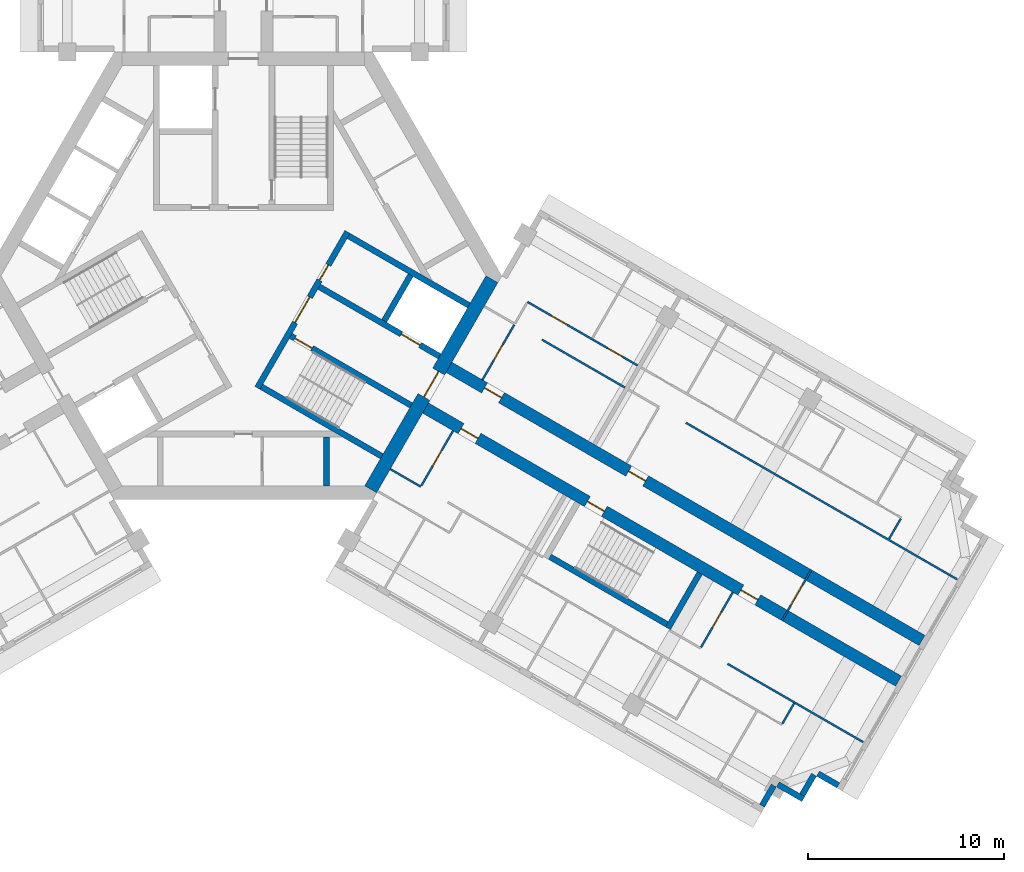
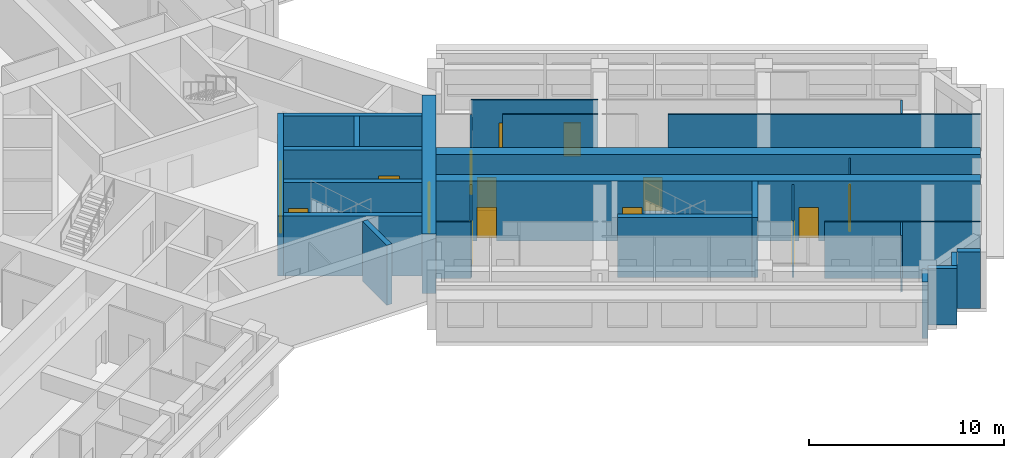
# One storey, part 5 of 10: 27 walls, 16 doors, 16 openings.
"""IFC4 building model written with IfcOpenShell, lengths in metres."""

from ifc_helpers import new_model, si_unit, direction, frame, frame_2d, origin, place, context, subcontext, project, spatial, rectangle, extrude, material, layer, layer_set, type_object, element, fill, save


model = new_model("IFC4")

# Units and contexts
model_context = context("Model", 3, precision=1e-05, world=origin(), true_north=direction((0.0, 1.0)))
body_context = subcontext(model_context, "Body", "Model", "MODEL_VIEW")
ifc_project = project(units=[si_unit("LENGTHUNIT", "METRE"), si_unit("AREAUNIT", "SQUARE_METRE"), si_unit("VOLUMEUNIT", "CUBIC_METRE"), si_unit("PLANEANGLEUNIT", "RADIAN"), si_unit("MASSUNIT", "GRAM", prefix="KILO")], contexts=[model_context])

# Site, building, storey
site_placement = place(None, origin())
site = spatial("IfcSite", under=ifc_project, at=site_placement, CompositionType="ELEMENT")
building_placement = place(site_placement, origin())
building = spatial("IfcBuilding", under=site, at=building_placement, Name="Impinga Residences", CompositionType="ELEMENT")
storey_placement = place(building_placement, frame((0.0, 0.0, 241.0)))
storey = spatial("IfcBuildingStorey", under=building, at=storey_placement, Name="L60", CompositionType="ELEMENT", Elevation=241.0)

# Wall, openings, doors
ifc_material_1 = material(Name="Concrete C60/75", Category="concrete")
ifc_layer_1 = layer(ifc_material_1, 0.60009765625)
ifc_layer_set_1 = layer_set([ifc_layer_1], Name="Concrete C60/75")
wall_type_1 = type_object("IfcWallType", Name="BW3 corridor buttress wall, L46 to L73 600", PredefinedType="SHEAR", material=ifc_layer_set_1)
wall_1_placement = place(storey_placement, frame((10.19677734375, -4.50146484375, 0.0), z_axis=(0.0, 0.0, 1.0), x_axis=(0.866026415941, -0.499998246889, 0.0)))
wall_1 = element("IfcWall", 1, at=wall_1_placement, inside=storey, type_object=wall_type_1, Name="Corridor wall BW3 EC L60", PredefinedType="SHEAR", context=body_context, shape_type="SweptSolid", body=[
    extrude(rectangle(XDim=28.25, YDim=0.60009765625, at=frame_2d((14.125, 0.0))), origin(), (0.0, 0.0, 1.0), 3.75),
])
opening_1_placement = place(wall_1_placement, frame((2.449951171875, 0.0, 0.0)))
opening_1 = element("IfcOpeningElement", 2, at=opening_1_placement, cuts=wall_1, Name="Opening D1", PredefinedType="OPENING", context=body_context, shape_type="SweptSolid", body=[
    extrude(rectangle(XDim=1.0, YDim=2.10009765625, at=frame_2d((0.5, 1.050048828125))), frame((0.0, 0.31005859375, 0.0), z_axis=(0.0, -1.0, 0.0), x_axis=(1.0, 0.0, 0.0)), (0.0, 0.0, 1.0), 0.6201171875),
])
opening_2_placement = place(wall_1_placement, frame((10.949951171875, 0.0, 0.0)))
opening_2 = element("IfcOpeningElement", 3, at=opening_2_placement, cuts=wall_1, Name="Opening D1", PredefinedType="OPENING", context=body_context, shape_type="SweptSolid", body=[
    extrude(rectangle(XDim=1.0, YDim=2.10009765625, at=frame_2d((0.5, 1.050048828125))), frame((0.0, 0.31005859375, 0.0), z_axis=(0.0, -1.0, 0.0), x_axis=(1.0, 0.0, 0.0)), (0.0, 0.0, 1.0), 0.6201171875),
])
ifc_material_2 = material(Name="Timber door set", Category="wood")
door_type_1 = type_object("IfcDoorType", Name="D1 apartment entrance door 1000x2100", OperationType="SINGLE_SWING_LEFT", PredefinedType="DOOR", material=ifc_material_2)
door_1_placement = place(opening_1_placement, origin())
door_1 = element("IfcDoor", 4, at=door_1_placement, inside=storey, type_object=door_type_1, Name="Apartment L60-EA1 entrance", OperationType="SINGLE_SWING_LEFT", OverallHeight=2.10009765625, OverallWidth=1.0, PredefinedType="DOOR", context=body_context, shape_type="SweptSolid", body=[
    extrude(rectangle(XDim=1.0, YDim=2.10009765625, at=frame_2d((0.5, 1.050048828125))), frame((0.0, 0.02490234375, 0.0), z_axis=(0.0, -1.0, 0.0), x_axis=(1.0, 0.0, 0.0)), (0.0, 0.0, 1.0), 0.050048828125),
])
fill(opening_1, door_1)
door_2_placement = place(opening_2_placement, origin())
door_2 = element("IfcDoor", 5, at=door_2_placement, inside=storey, type_object=door_type_1, Name="Apartment L60-EA2 entrance", OperationType="SINGLE_SWING_LEFT", OverallHeight=2.10009765625, OverallWidth=1.0, PredefinedType="DOOR", context=body_context, shape_type="SweptSolid", body=[
    extrude(rectangle(XDim=1.0, YDim=2.10009765625, at=frame_2d((0.5, 1.050048828125))), frame((0.0, 0.02490234375, 0.0), z_axis=(0.0, -1.0, 0.0), x_axis=(1.0, 0.0, 0.0)), (0.0, 0.0, 1.0), 0.050048828125),
])
fill(opening_2, door_2)

wall_2_placement = place(storey_placement, frame((8.996826171875, -6.580078125, 0.0), z_axis=(0.0, 0.0, 1.0), x_axis=(0.866026415941, -0.499998246889, 0.0)))
wall_2 = element("IfcWall", 6, at=wall_2_placement, inside=storey, type_object=wall_type_1, Name="Corridor wall BW3 ED L60", PredefinedType="SHEAR", context=body_context, shape_type="SweptSolid", body=[
    extrude(rectangle(XDim=28.25, YDim=0.60009765625, at=frame_2d((14.125, 0.0))), origin(), (0.0, 0.0, 1.0), 3.75),
])
opening_3_placement = place(wall_2_placement, frame((9.89990234375, 0.0, 0.0)))
opening_3 = element("IfcOpeningElement", 7, at=opening_3_placement, cuts=wall_2, Name="Opening D5", PredefinedType="OPENING", context=body_context, shape_type="SweptSolid", body=[
    extrude(rectangle(XDim=1.0, YDim=2.10009765625, at=frame_2d((0.5, 1.050048828125))), frame((0.0, 0.31005859375, 0.0), z_axis=(0.0, -1.0, 0.0), x_axis=(1.0, 0.0, 0.0)), (0.0, 0.0, 1.0), 0.6201171875),
])
opening_4_placement = place(wall_2_placement, frame((2.449951171875, 0.0, 0.0)))
opening_4 = element("IfcOpeningElement", 8, at=opening_4_placement, cuts=wall_2, Name="Opening D1", PredefinedType="OPENING", context=body_context, shape_type="SweptSolid", body=[
    extrude(rectangle(XDim=1.0, YDim=2.10009765625, at=frame_2d((0.5, 1.050048828125))), frame((0.0, 0.31005859375, 0.0), z_axis=(0.0, -1.0, 0.0), x_axis=(1.0, 0.0, 0.0)), (0.0, 0.0, 1.0), 0.6201171875),
])
opening_5_placement = place(wall_2_placement, frame((18.949951171875, 0.0, 0.0)))
opening_5 = element("IfcOpeningElement", 9, at=opening_5_placement, cuts=wall_2, Name="Opening D1", PredefinedType="OPENING", context=body_context, shape_type="SweptSolid", body=[
    extrude(rectangle(XDim=1.0, YDim=2.10009765625, at=frame_2d((0.5, 1.050048828125))), frame((0.0, 0.31005859375, 0.0), z_axis=(0.0, -1.0, 0.0), x_axis=(1.0, 0.0, 0.0)), (0.0, 0.0, 1.0), 0.6201171875),
])
door_3_placement = place(opening_4_placement, origin())
door_3 = element("IfcDoor", 10, at=door_3_placement, inside=storey, type_object=door_type_1, Name="Apartment L60-EF1 entrance", OperationType="SINGLE_SWING_LEFT", OverallHeight=2.10009765625, OverallWidth=1.0, PredefinedType="DOOR", context=body_context, shape_type="SweptSolid", body=[
    extrude(rectangle(XDim=1.0, YDim=2.10009765625, at=frame_2d((0.5, 1.050048828125))), frame((0.0, 0.02490234375, 0.0), z_axis=(0.0, -1.0, 0.0), x_axis=(1.0, 0.0, 0.0)), (0.0, 0.0, 1.0), 0.050048828125),
])
fill(opening_4, door_3)
door_4_placement = place(opening_5_placement, origin())
door_4 = element("IfcDoor", 11, at=door_4_placement, inside=storey, type_object=door_type_1, Name="Apartment L60-EF2 entrance", OperationType="SINGLE_SWING_RIGHT", OverallHeight=2.10009765625, OverallWidth=1.0, PredefinedType="DOOR", context=body_context, shape_type="SweptSolid", body=[
    extrude(rectangle(XDim=1.0, YDim=2.10009765625, at=frame_2d((0.5, 1.050048828125))), frame((0.0, 0.02490234375, 0.0), z_axis=(0.0, -1.0, 0.0), x_axis=(1.0, 0.0, 0.0)), (0.0, 0.0, 1.0), 0.050048828125),
])
fill(opening_5, door_4)
door_type_2 = type_object("IfcDoorType", Name="D5 stair door 1000x2100", OperationType="SINGLE_SWING_LEFT", PredefinedType="DOOR", material=ifc_material_2)
door_5_placement = place(opening_3_placement, origin())
door_5 = element("IfcDoor", 12, at=door_5_placement, inside=storey, type_object=door_type_2, Name="Wing stair door E", OperationType="SINGLE_SWING_LEFT", OverallHeight=2.10009765625, OverallWidth=1.0, PredefinedType="DOOR", context=body_context, shape_type="SweptSolid", body=[
    extrude(rectangle(XDim=1.0, YDim=2.10009765625, at=frame_2d((0.5, 1.050048828125))), frame((0.0, 0.02490234375, 0.0), z_axis=(0.0, -1.0, 0.0), x_axis=(1.0, 0.0, 0.0)), (0.0, 0.0, 1.0), 0.050048828125),
])
fill(opening_3, door_5)

# Wall, opening, door
ifc_material_3 = material(Name="Concrete blockwork", Category="masonry")
ifc_layer_2 = layer(ifc_material_3, 0.10009765625)
ifc_layer_set_2 = layer_set([ifc_layer_2], Name="CP1 core room partition, blockwork 100")
wall_type_2 = type_object("IfcWallType", Name="CP1 core room partition, blockwork 100", PredefinedType="PARTITIONING", material=ifc_layer_set_2)
wall_3_placement = place(storey_placement, frame((29.009765625, -15.016845703125, 0.0), z_axis=(0.0, 0.0, 1.0), x_axis=(-0.50002537861, -0.866010750942, 0.0)))
wall_3 = element("IfcWall", 13, at=wall_3_placement, inside=storey, type_object=wall_type_2, Name="Core room partition, blockwork L60:E:LNG", PredefinedType="PARTITIONING", context=body_context, shape_type="SweptSolid", body=[
    extrude(rectangle(XDim=2.999755859375, YDim=0.10009765625, at=frame_2d((1.5, 0.0))), origin(), (0.0, 0.0, 1.0), 3.530029296875),
])
opening_6_placement = place(wall_3_placement, frame((0.89990234375, 0.0, 0.0)))
opening_6 = element("IfcOpeningElement", 14, at=opening_6_placement, cuts=wall_3, Name="Opening D3", PredefinedType="OPENING", context=body_context, shape_type="SweptSolid", body=[
    extrude(rectangle(XDim=1.199951171875, YDim=2.10009765625, at=frame_2d((0.60009765625, 1.050048828125))), frame((0.0, 0.06005859375, 0.0), z_axis=(0.0, -1.0, 0.0), x_axis=(1.0, 0.0, 0.0)), (0.0, 0.0, 1.0), 0.1201171875),
])
door_type_3 = type_object("IfcDoorType", Name="D3 room door, leaf and a half 1200x2100", OperationType="DOUBLE_SWING_LEFT", PredefinedType="DOOR", material=ifc_material_2)
door_6_placement = place(opening_6_placement, origin())
door_6 = element("IfcDoor", 15, at=door_6_placement, inside=storey, type_object=door_type_3, Name="Residents' lounge door E", OperationType="DOUBLE_SWING_LEFT", OverallHeight=2.10009765625, OverallWidth=1.199951171875, PredefinedType="DOOR", context=body_context, shape_type="SweptSolid", body=[
    extrude(rectangle(XDim=1.199951171875, YDim=2.10009765625, at=frame_2d((0.60009765625, 1.050048828125))), frame((0.0, 0.02490234375, 0.0), z_axis=(0.0, -1.0, 0.0), x_axis=(1.0, 0.0, 0.0)), (0.0, 0.0, 1.0), 0.050048828125),
])
fill(opening_6, door_6)

# Walls
ifc_material_4 = material(Name="Terracotta rainscreen on blockwork", Category="masonry")
ifc_layer_3 = layer(ifc_material_4, 0.300048828125)
ifc_layer_set_3 = layer_set([ifc_layer_3], Name="EW1 external wall, terracotta rainscreen on blockwork 300")
wall_type_3 = type_object("IfcWallType", Name="EW1 external wall, terracotta rainscreen on blockwork 300", PredefinedType="SOLIDWALL", material=ifc_layer_set_3)
wall_4_placement = place(storey_placement, frame((30.38720703125, -26.031005859375, 0.0), z_axis=(0.0, 0.0, 1.0), x_axis=(-0.866059708757, 0.499940577336, 0.0)))
element("IfcWall", 16, at=wall_4_placement, inside=storey, type_object=wall_type_3, Name="External wall EW1 L60", PredefinedType="SOLIDWALL", context=body_context, shape_type="SweptSolid", body=[
    extrude(rectangle(XDim=1.195068359375, YDim=0.300048828125, at=frame_2d((0.59765625, 0.0))), origin(), (0.0, 0.0, 1.0), 3.530029296875),
])
wall_5_placement = place(storey_placement, frame((29.14306640625, -25.48583984375, 0.0), z_axis=(0.0, 0.0, 1.0), x_axis=(-0.500033551112, -0.866006032174, 0.0)))
element("IfcWall", 17, at=wall_5_placement, inside=storey, type_object=wall_type_3, Name="External wall EW1 L60", PredefinedType="SOLIDWALL", context=body_context, shape_type="SweptSolid", body=[
    extrude(rectangle(XDim=1.2001953125, YDim=0.300048828125, at=frame_2d((0.60009765625, 0.0))), origin(), (0.0, 0.0, 1.0), 3.530029296875),
])
wall_6_placement = place(storey_placement, frame((28.597900390625, -26.72998046875, 0.0), z_axis=(0.0, 0.0, 1.0), x_axis=(-0.866031096941, 0.499990139034, 0.0)))
element("IfcWall", 18, at=wall_6_placement, inside=storey, type_object=wall_type_3, Name="External wall EW1 L60", PredefinedType="SOLIDWALL", context=body_context, shape_type="SweptSolid", body=[
    extrude(rectangle(XDim=1.5, YDim=0.300048828125, at=frame_2d((0.75, 0.0))), origin(), (0.0, 0.0, 1.0), 3.530029296875),
])
wall_7_placement = place(storey_placement, frame((27.091552734375, -26.039306640625, 0.0), z_axis=(0.0, 0.0, 1.0), x_axis=(-0.500093796661, -0.865971243484, 0.0)))
element("IfcWall", 19, at=wall_7_placement, inside=storey, type_object=wall_type_3, Name="External wall EW1 L60", PredefinedType="SOLIDWALL", context=body_context, shape_type="SweptSolid", body=[
    extrude(rectangle(XDim=1.195068359375, YDim=0.300048828125, at=frame_2d((0.59765625, 0.0))), origin(), (0.0, 0.0, 1.0), 3.530029296875),
])
ifc_material_5 = material(Name="Gypsum board on steel studs", Category="steel")
ifc_layer_4 = layer(ifc_material_5, 0.10009765625)
ifc_layer_set_4 = layer_set([ifc_layer_4], Name="Gypsum board on steel studs")
wall_type_4 = type_object("IfcWallType", Name="IP1 partition 100", PredefinedType="PARTITIONING", material=ifc_layer_set_4)
wall_8_placement = place(storey_placement, frame((15.244384765625, -3.2587890625, 0.0), z_axis=(0.0, 0.0, 1.0), x_axis=(0.866036242063, -0.49998122708, 0.0)))
element("IfcWall", 20, at=wall_8_placement, inside=storey, type_object=wall_type_4, Name="Partition L60-EA1:DIV1", PredefinedType="PARTITIONING", context=body_context, shape_type="SweptSolid", body=[
    extrude(rectangle(XDim=4.900146484375, YDim=0.10009765625, at=frame_2d((2.4501953125, 0.0))), origin(), (0.0, 0.0, 1.0), 3.530029296875),
])

# Wall, openings, doors
wall_9_placement = place(storey_placement, frame((14.5087890625, -1.3330078125, 0.0), z_axis=(0.0, 0.0, 1.0), x_axis=(0.866024837091, -0.50000098154, 0.0)))
wall_9 = element("IfcWall", 21, at=wall_9_placement, inside=storey, type_object=wall_type_4, Name="Partition L60-EA1:STRIP", PredefinedType="PARTITIONING", context=body_context, shape_type="SweptSolid", body=[
    extrude(rectangle(XDim=6.5, YDim=0.10009765625, at=frame_2d((3.25, 0.0))), origin(), (0.0, 0.0, 1.0), 3.530029296875),
])
opening_7_placement = place(wall_9_placement, frame((1.425048828125, 0.0, 0.0)))
opening_7 = element("IfcOpeningElement", 22, at=opening_7_placement, cuts=wall_9, Name="Opening D2", PredefinedType="OPENING", context=body_context, shape_type="SweptSolid", body=[
    extrude(rectangle(XDim=0.89990234375, YDim=2.10009765625, at=frame_2d((0.449951171875, 1.050048828125))), frame((0.0, 0.06005859375, 0.0), z_axis=(0.0, -1.0, 0.0), x_axis=(1.0, 0.0, 0.0)), (0.0, 0.0, 1.0), 0.1201171875),
])
opening_8_placement = place(wall_9_placement, frame((4.72509765625, 0.0, 0.0)))
opening_8 = element("IfcOpeningElement", 23, at=opening_8_placement, cuts=wall_9, Name="Opening D2", PredefinedType="OPENING", context=body_context, shape_type="SweptSolid", body=[
    extrude(rectangle(XDim=0.89990234375, YDim=2.10009765625, at=frame_2d((0.449951171875, 1.050048828125))), frame((0.0, 0.06005859375, 0.0), z_axis=(0.0, -1.0, 0.0), x_axis=(1.0, 0.0, 0.0)), (0.0, 0.0, 1.0), 0.1201171875),
])
door_type_4 = type_object("IfcDoorType", Name="D2 internal door 900x2100", OperationType="SINGLE_SWING_LEFT", PredefinedType="DOOR", material=ifc_material_2)
door_7_placement = place(opening_7_placement, origin())
door_7 = element("IfcDoor", 24, at=door_7_placement, inside=storey, type_object=door_type_4, Name="Apartment L60-EA1 room door", OperationType="SINGLE_SWING_LEFT", OverallHeight=2.10009765625, OverallWidth=0.89990234375, PredefinedType="DOOR", context=body_context, shape_type="SweptSolid", body=[
    extrude(rectangle(XDim=0.89990234375, YDim=2.10009765625, at=frame_2d((0.449951171875, 1.050048828125))), frame((0.0, 0.02490234375, 0.0), z_axis=(0.0, -1.0, 0.0), x_axis=(1.0, 0.0, 0.0)), (0.0, 0.0, 1.0), 0.050048828125),
])
fill(opening_7, door_7)
door_8_placement = place(opening_8_placement, origin())
door_8 = element("IfcDoor", 25, at=door_8_placement, inside=storey, type_object=door_type_4, Name="Apartment L60-EA1 room door", OperationType="SINGLE_SWING_RIGHT", OverallHeight=2.10009765625, OverallWidth=0.89990234375, PredefinedType="DOOR", context=body_context, shape_type="SweptSolid", body=[
    extrude(rectangle(XDim=0.89990234375, YDim=2.10009765625, at=frame_2d((0.449951171875, 1.050048828125))), frame((0.0, 0.02490234375, 0.0), z_axis=(0.0, -1.0, 0.0), x_axis=(1.0, 0.0, 0.0)), (0.0, 0.0, 1.0), 0.050048828125),
])
fill(opening_8, door_8)

# Wall, opening, door
wall_10_placement = place(storey_placement, frame((12.208740234375, -5.316650390625, 0.0), z_axis=(0.0, 0.0, 1.0), x_axis=(0.500017246033, 0.866015446554, 0.0)))
wall_10 = element("IfcWall", 26, at=wall_10_placement, inside=storey, type_object=wall_type_4, Name="Partition L60-EA1:IB1", PredefinedType="PARTITIONING", context=body_context, shape_type="SweptSolid", body=[
    extrude(rectangle(XDim=3.25, YDim=0.10009765625, at=frame_2d((1.625, 0.0))), origin(), (0.0, 0.0, 1.0), 3.530029296875),
])
opening_9_placement = place(wall_10_placement, frame((1.175048828125, 0.0, 0.0)))
opening_9 = element("IfcOpeningElement", 27, at=opening_9_placement, cuts=wall_10, Name="Opening D2", PredefinedType="OPENING", context=body_context, shape_type="SweptSolid", body=[
    extrude(rectangle(XDim=0.89990234375, YDim=2.10009765625, at=frame_2d((0.449951171875, 1.050048828125))), frame((0.0, 0.06005859375, 0.0), z_axis=(0.0, -1.0, 0.0), x_axis=(1.0, 0.0, 0.0)), (0.0, 0.0, 1.0), 0.1201171875),
])
door_9_placement = place(opening_9_placement, origin())
door_9 = element("IfcDoor", 28, at=door_9_placement, inside=storey, type_object=door_type_4, Name="Apartment L60-EA1 bathroom door", OperationType="SINGLE_SWING_LEFT", OverallHeight=2.10009765625, OverallWidth=0.89990234375, PredefinedType="DOOR", context=body_context, shape_type="SweptSolid", body=[
    extrude(rectangle(XDim=0.89990234375, YDim=2.10009765625, at=frame_2d((0.449951171875, 1.050048828125))), frame((0.0, 0.02490234375, 0.0), z_axis=(0.0, -1.0, 0.0), x_axis=(1.0, 0.0, 0.0)), (0.0, 0.0, 1.0), 0.050048828125),
])
fill(opening_9, door_9)

# Walls
wall_11_placement = place(storey_placement, frame((22.605712890625, -7.5087890625, 0.0), z_axis=(0.0, 0.0, 1.0), x_axis=(0.866026010844, -0.49999894854, 0.0)))
element("IfcWall", 29, at=wall_11_placement, inside=storey, type_object=wall_type_4, Name="Partition L60-EA2:DIV1", PredefinedType="PARTITIONING", context=body_context, shape_type="SweptSolid", body=[
    extrude(rectangle(XDim=16.0, YDim=0.10009765625, at=frame_2d((8.0, 0.0))), origin(), (0.0, 0.0, 1.0), 3.530029296875),
])
wall_12_placement = place(storey_placement, frame((32.979736328125, -13.4404296875, 0.0), z_axis=(0.0, 0.0, 1.0), x_axis=(0.499969057507, 0.866043267704, 0.0)))
element("IfcWall", 30, at=wall_12_placement, inside=storey, type_object=wall_type_4, Name="Partition L60-EA2:SE1", PredefinedType="PARTITIONING", context=body_context, shape_type="SweptSolid", body=[
    extrude(rectangle(XDim=1.19970703125, YDim=0.10009765625, at=frame_2d((0.599853515625, 0.0))), origin(), (0.0, 0.0, 1.0), 3.530029296875),
])
wall_13_placement = place(storey_placement, frame((7.5, -9.872802734375, 0.0), z_axis=(0.0, 0.0, 1.0), x_axis=(0.866047807691, -0.499961193289, 0.0)))
element("IfcWall", 31, at=wall_13_placement, inside=storey, type_object=wall_type_4, Name="Partition L60-EF1:DIV0", PredefinedType="PARTITIONING", context=body_context, shape_type="SweptSolid", body=[
    extrude(rectangle(XDim=1.800048828125, YDim=0.10009765625, at=frame_2d((0.89990234375, 0.0))), origin(), (0.0, 0.0, 1.0), 3.530029296875),
])

# Wall, opening, door
wall_14_placement = place(storey_placement, frame((10.708740234375, -7.914794921875, 0.0), z_axis=(0.0, 0.0, 1.0), x_axis=(-0.499984717929, -0.866034226713, 0.0)))
wall_14 = element("IfcWall", 32, at=wall_14_placement, inside=storey, type_object=wall_type_4, Name="Partition L60-EF1:IB1", PredefinedType="PARTITIONING", context=body_context, shape_type="SweptSolid", body=[
    extrude(rectangle(XDim=3.25, YDim=0.10009765625, at=frame_2d((1.625, 0.0))), origin(), (0.0, 0.0, 1.0), 3.530029296875),
])
opening_10_placement = place(wall_14_placement, frame((1.175048828125, 0.0, 0.0)))
opening_10 = element("IfcOpeningElement", 33, at=opening_10_placement, cuts=wall_14, Name="Opening D2", PredefinedType="OPENING", context=body_context, shape_type="SweptSolid", body=[
    extrude(rectangle(XDim=0.89990234375, YDim=2.10009765625, at=frame_2d((0.449951171875, 1.050048828125))), frame((0.0, 0.06005859375, 0.0), z_axis=(0.0, -1.0, 0.0), x_axis=(1.0, 0.0, 0.0)), (0.0, 0.0, 1.0), 0.1201171875),
])
door_10_placement = place(opening_10_placement, origin())
door_10 = element("IfcDoor", 34, at=door_10_placement, inside=storey, type_object=door_type_4, Name="Apartment L60-EF1 bathroom door", OperationType="SINGLE_SWING_LEFT", OverallHeight=2.10009765625, OverallWidth=0.89990234375, PredefinedType="DOOR", context=body_context, shape_type="SweptSolid", body=[
    extrude(rectangle(XDim=0.89990234375, YDim=2.10009765625, at=frame_2d((0.449951171875, 1.050048828125))), frame((0.0, 0.02490234375, 0.0), z_axis=(0.0, -1.0, 0.0), x_axis=(1.0, 0.0, 0.0)), (0.0, 0.0, 1.0), 0.050048828125),
])
fill(opening_10, door_10)

# Walls
wall_15_placement = place(storey_placement, frame((24.73388671875, -19.82275390625, 0.0), z_axis=(0.0, 0.0, 1.0), x_axis=(0.866026010844, -0.49999894854, 0.0)))
element("IfcWall", 35, at=wall_15_placement, inside=storey, type_object=wall_type_4, Name="Partition L60-EF2:DIV2", PredefinedType="PARTITIONING", context=body_context, shape_type="SweptSolid", body=[
    extrude(rectangle(XDim=8.0, YDim=0.10009765625, at=frame_2d((4.0, 0.0))), origin(), (0.0, 0.0, 1.0), 3.530029296875),
])
wall_16_placement = place(storey_placement, frame((28.129638671875, -21.841064453125, 0.0), z_axis=(0.0, 0.0, 1.0), x_axis=(-0.499969057507, -0.866043267704, 0.0)))
element("IfcWall", 36, at=wall_16_placement, inside=storey, type_object=wall_type_4, Name="Partition L60-EF2:SE1", PredefinedType="PARTITIONING", context=body_context, shape_type="SweptSolid", body=[
    extrude(rectangle(XDim=1.19970703125, YDim=0.10009765625, at=frame_2d((0.599853515625, 0.0))), origin(), (0.0, 0.0, 1.0), 3.530029296875),
])

# Wall, opening, door
wall_17_placement = place(storey_placement, frame((24.998291015625, -16.164794921875, 0.0), z_axis=(0.0, 0.0, 1.0), x_axis=(-0.499984717929, -0.866034226713, 0.0)))
wall_17 = element("IfcWall", 37, at=wall_17_placement, inside=storey, type_object=wall_type_4, Name="Partition L60-EF2:IB1", PredefinedType="PARTITIONING", context=body_context, shape_type="SweptSolid", body=[
    extrude(rectangle(XDim=3.25, YDim=0.10009765625, at=frame_2d((1.625, 0.0))), origin(), (0.0, 0.0, 1.0), 3.530029296875),
])
opening_11_placement = place(wall_17_placement, frame((1.175048828125, 0.0, 0.0)))
opening_11 = element("IfcOpeningElement", 38, at=opening_11_placement, cuts=wall_17, Name="Opening D2", PredefinedType="OPENING", context=body_context, shape_type="SweptSolid", body=[
    extrude(rectangle(XDim=0.89990234375, YDim=2.10009765625, at=frame_2d((0.449951171875, 1.050048828125))), frame((0.0, 0.06005859375, 0.0), z_axis=(0.0, -1.0, 0.0), x_axis=(1.0, 0.0, 0.0)), (0.0, 0.0, 1.0), 0.1201171875),
])
door_11_placement = place(opening_11_placement, origin())
door_11 = element("IfcDoor", 39, at=door_11_placement, inside=storey, type_object=door_type_4, Name="Apartment L60-EF2 bathroom door", OperationType="SINGLE_SWING_LEFT", OverallHeight=2.10009765625, OverallWidth=0.89990234375, PredefinedType="DOOR", context=body_context, shape_type="SweptSolid", body=[
    extrude(rectangle(XDim=0.89990234375, YDim=2.10009765625, at=frame_2d((0.449951171875, 1.050048828125))), frame((0.0, 0.02490234375, 0.0), z_axis=(0.0, -1.0, 0.0), x_axis=(1.0, 0.0, 0.0)), (0.0, 0.0, 1.0), 0.050048828125),
])
fill(opening_11, door_11)

# Walls
ifc_layer_5 = layer(ifc_material_1, 0.300048828125)
ifc_layer_set_5 = layer_set([ifc_layer_5], Name="Concrete C60/75")
wall_type_5 = type_object("IfcWallType", Name="SE1 wing stair enclosure wall 300", PredefinedType="SOLIDWALL", material=ifc_layer_set_5)
wall_18_placement = place(storey_placement, frame((23.3095703125, -15.189697265625, 0.0), z_axis=(0.0, 0.0, 1.0), x_axis=(-0.499984717929, -0.866034226713, 0.0)))
element("IfcWall", 40, at=wall_18_placement, inside=storey, type_object=wall_type_5, Name="Stair enclosure wall SE1 E END1 L60", PredefinedType="SOLIDWALL", context=body_context, shape_type="SweptSolid", body=[
    extrude(rectangle(XDim=3.25, YDim=0.300048828125, at=frame_2d((1.625, 0.0))), origin(), (0.0, 0.0, 1.0), 3.75),
])
wall_19_placement = place(storey_placement, frame((15.654052734375, -14.349365234375, 0.0), z_axis=(0.0, 0.0, 1.0), x_axis=(0.866013532718, -0.500020560727, 0.0)))
element("IfcWall", 41, at=wall_19_placement, inside=storey, type_object=wall_type_5, Name="Stair enclosure wall SE1 E OUT L60", PredefinedType="SOLIDWALL", context=body_context, shape_type="SweptSolid", body=[
    extrude(rectangle(XDim=6.900146484375, YDim=0.300048828125, at=frame_2d((3.4501953125, 0.0))), origin(), (0.0, 0.0, 1.0), 3.75),
])

# Wall, opening, door
ifc_layer_6 = layer(ifc_material_1, 0.699951171875)
ifc_layer_set_6 = layer_set([ifc_layer_6], Name="Concrete C60/75")
wall_type_6 = type_object("IfcWallType", Name="SW3 core wall 700", PredefinedType="SHEAR", material=ifc_layer_set_6)
wall_20_placement = place(storey_placement, frame((12.69482421875, -0.175048828125, 0.0), z_axis=(0.0, 0.0, 1.0), x_axis=(-0.499999875397, -0.866025475724, 0.0)))
wall_20 = element("IfcWall", 42, at=wall_20_placement, inside=storey, type_object=wall_type_6, Name="Core wall SW3 E:FACE L60", PredefinedType="SHEAR", context=body_context, shape_type="SweptSolid", body=[
    extrude(rectangle(XDim=12.3916015625, YDim=0.699951171875, at=frame_2d((6.19580078125, 0.0))), origin(), (0.0, 0.0, 1.0), 3.75),
])
opening_12_placement = place(wall_20_placement, frame((5.44580078125, 0.0, 0.0)))
opening_12 = element("IfcOpeningElement", 43, at=opening_12_placement, cuts=wall_20, Name="Opening D4", PredefinedType="OPENING", context=body_context, shape_type="SweptSolid", body=[
    extrude(rectangle(XDim=1.5, YDim=2.10009765625, at=frame_2d((0.75, 1.050048828125))), frame((0.0, 0.35986328125, 0.0), z_axis=(0.0, -1.0, 0.0), x_axis=(1.0, 0.0, 0.0)), (0.0, 0.0, 1.0), 0.719970703125),
])
door_type_5 = type_object("IfcDoorType", Name="D4 lobby door pair 1500x2100", OperationType="DOUBLE_DOOR_DOUBLE_SWING", PredefinedType="DOOR", material=ifc_material_2)
door_12_placement = place(opening_12_placement, origin())
door_12 = element("IfcDoor", 44, at=door_12_placement, inside=storey, type_object=door_type_5, Name="Lobby door E", OperationType="DOUBLE_DOOR_DOUBLE_SWING", OverallHeight=2.10009765625, OverallWidth=1.5, PredefinedType="DOOR", context=body_context, shape_type="SweptSolid", body=[
    extrude(rectangle(XDim=1.5, YDim=2.10009765625, at=frame_2d((0.75, 1.050048828125))), frame((0.0, 0.02490234375, 0.0), z_axis=(0.0, -1.0, 0.0), x_axis=(1.0, 0.0, 0.0)), (0.0, 0.0, 1.0), 0.050048828125),
])
fill(opening_12, door_12)

# Wall, openings, doors
ifc_material_6 = material(Name="Concrete C70/85", Category="concrete")
ifc_layer_7 = layer(ifc_material_6, 0.300048828125)
ifc_layer_set_7 = layer_set([ifc_layer_7], Name="Concrete C70/85")
wall_type_7 = type_object("IfcWallType", Name="SW5 core inner wall, stairs, shafts and lobbies 300", PredefinedType="SHEAR", material=ifc_layer_set_7)
wall_21_placement = place(storey_placement, frame((5.313720703125, 2.24365234375, 0.0), z_axis=(0.0, 0.0, 1.0), x_axis=(-0.499995050369, -0.866028261437, 0.0)))
wall_21 = element("IfcWall", 45, at=wall_21_placement, inside=storey, type_object=wall_type_7, Name="Core wall SW5 E:ZONE L60", PredefinedType="SHEAR", context=body_context, shape_type="SweptSolid", body=[
    extrude(rectangle(XDim=9.19970703125, YDim=0.300048828125, at=frame_2d((4.599853515625, 0.0))), origin(), (0.0, 0.0, 1.0), 3.75),
])
opening_13_placement = place(wall_21_placement, frame((3.85009765625, 0.0, 0.0)))
opening_13 = element("IfcOpeningElement", 46, at=opening_13_placement, cuts=wall_21, Name="Opening D4", PredefinedType="OPENING", context=body_context, shape_type="SweptSolid", body=[
    extrude(rectangle(XDim=1.5, YDim=2.10009765625, at=frame_2d((0.75, 1.050048828125))), frame((0.0, 0.159912109375, 0.0), z_axis=(0.0, -1.0, 0.0), x_axis=(1.0, 0.0, 0.0)), (0.0, 0.0, 1.0), 0.320068359375),
])
opening_14_placement = place(wall_21_placement, frame((1.949951171875, 0.0, 0.0)))
opening_14 = element("IfcOpeningElement", 47, at=opening_14_placement, cuts=wall_21, Name="Opening D6", PredefinedType="OPENING", context=body_context, shape_type="SweptSolid", body=[
    extrude(rectangle(XDim=0.89990234375, YDim=2.10009765625, at=frame_2d((0.449951171875, 1.050048828125))), frame((0.0, 0.159912109375, 0.0), z_axis=(0.0, -1.0, 0.0), x_axis=(1.0, 0.0, 0.0)), (0.0, 0.0, 1.0), 0.320068359375),
])
door_13_placement = place(opening_13_placement, origin())
door_13 = element("IfcDoor", 48, at=door_13_placement, inside=storey, type_object=door_type_5, Name="Firefighting lobby door E", OperationType="DOUBLE_DOOR_DOUBLE_SWING", OverallHeight=2.10009765625, OverallWidth=1.5, PredefinedType="DOOR", context=body_context, shape_type="SweptSolid", body=[
    extrude(rectangle(XDim=1.5, YDim=2.10009765625, at=frame_2d((0.75, 1.050048828125))), frame((0.0, 0.02490234375, 0.0), z_axis=(0.0, -1.0, 0.0), x_axis=(1.0, 0.0, 0.0)), (0.0, 0.0, 1.0), 0.050048828125),
])
fill(opening_13, door_13)
door_type_6 = type_object("IfcDoorType", Name="D6 riser and store door 900x2100", OperationType="SINGLE_SWING_LEFT", PredefinedType="DOOR", material=ifc_material_2)
door_14_placement = place(opening_14_placement, origin())
door_14 = element("IfcDoor", 49, at=door_14_placement, inside=storey, type_object=door_type_6, Name="Riser door E", OperationType="SINGLE_SWING_LEFT", OverallHeight=2.10009765625, OverallWidth=0.89990234375, PredefinedType="DOOR", context=body_context, shape_type="SweptSolid", body=[
    extrude(rectangle(XDim=0.89990234375, YDim=2.10009765625, at=frame_2d((0.449951171875, 1.050048828125))), frame((0.0, 0.02490234375, 0.0), z_axis=(0.0, -1.0, 0.0), x_axis=(1.0, 0.0, 0.0)), (0.0, 0.0, 1.0), 0.050048828125),
])
fill(opening_14, door_14)

# Wall, opening, door
wall_22_placement = place(storey_placement, frame((2.418701171875, -3.07080078125, 0.0), z_axis=(0.0, 0.0, 1.0), x_axis=(0.866025859768, -0.499999210213, 0.0)))
wall_22 = element("IfcWall", 50, at=wall_22_placement, inside=storey, type_object=wall_type_7, Name="Core wall SW5 E:ST-IN L60", PredefinedType="SHEAR", context=body_context, shape_type="SweptSolid", body=[
    extrude(rectangle(XDim=7.1015625, YDim=0.300048828125, at=frame_2d((3.55078125, 0.0))), origin(), (0.0, 0.0, 1.0), 3.75),
])
opening_15_placement = place(wall_22_placement, frame((0.25, 0.0, 0.0)))
opening_15 = element("IfcOpeningElement", 51, at=opening_15_placement, cuts=wall_22, Name="Opening D5", PredefinedType="OPENING", context=body_context, shape_type="SweptSolid", body=[
    extrude(rectangle(XDim=1.0, YDim=2.10009765625, at=frame_2d((0.5, 1.050048828125))), frame((0.0, 0.159912109375, 0.0), z_axis=(0.0, -1.0, 0.0), x_axis=(1.0, 0.0, 0.0)), (0.0, 0.0, 1.0), 0.320068359375),
])
door_15_placement = place(opening_15_placement, origin())
door_15 = element("IfcDoor", 52, at=door_15_placement, inside=storey, type_object=door_type_2, Name="Stair door E", OperationType="SINGLE_SWING_LEFT", OverallHeight=2.10009765625, OverallWidth=1.0, PredefinedType="DOOR", context=body_context, shape_type="SweptSolid", body=[
    extrude(rectangle(XDim=1.0, YDim=2.10009765625, at=frame_2d((0.5, 1.050048828125))), frame((0.0, 0.02490234375, 0.0), z_axis=(0.0, -1.0, 0.0), x_axis=(1.0, 0.0, 0.0)), (0.0, 0.0, 1.0), 0.050048828125),
])
fill(opening_15, door_15)

# Wall
wall_23_placement = place(storey_placement, frame((0.918701171875, -5.668701171875, 0.0), z_axis=(0.0, 0.0, 1.0), x_axis=(0.866025859768, -0.499999210213, 0.0)))
element("IfcWall", 53, at=wall_23_placement, inside=storey, type_object=wall_type_7, Name="Core wall SW5 E:ST-OUT L60", PredefinedType="SHEAR", context=body_context, shape_type="SweptSolid", body=[
    extrude(rectangle(XDim=7.1015625, YDim=0.300048828125, at=frame_2d((3.55078125, 0.0))), origin(), (0.0, 0.0, 1.0), 3.75),
])

# Wall, opening, door
wall_24_placement = place(storey_placement, frame((3.86865234375, -0.559326171875, 0.0), z_axis=(0.0, 0.0, 1.0), x_axis=(0.866025859768, -0.499999210213, 0.0)))
wall_24 = element("IfcWall", 54, at=wall_24_placement, inside=storey, type_object=wall_type_7, Name="Core wall SW5 E:FF-IN L60", PredefinedType="SHEAR", context=body_context, shape_type="SweptSolid", body=[
    extrude(rectangle(XDim=7.1015625, YDim=0.300048828125, at=frame_2d((3.55078125, 0.0))), origin(), (0.0, 0.0, 1.0), 3.75),
])
opening_16_placement = place(wall_24_placement, frame((4.85009765625, 0.0, 0.0)))
opening_16 = element("IfcOpeningElement", 55, at=opening_16_placement, cuts=wall_24, Name="Opening LD2", PredefinedType="OPENING", context=body_context, shape_type="SweptSolid", body=[
    extrude(rectangle(XDim=1.10009765625, YDim=2.10009765625, at=frame_2d((0.550048828125, 1.050048828125))), frame((0.0, 0.159912109375, 0.0), z_axis=(0.0, -1.0, 0.0), x_axis=(1.0, 0.0, 0.0)), (0.0, 0.0, 1.0), 0.320068359375),
])
ifc_material_7 = material(Name="Steel lift landing door", Category="steel")
door_type_7 = type_object("IfcDoorType", Name="LD2 firefighting lift landing door 1100x2100", OperationType="DOUBLE_DOOR_SLIDING", PredefinedType="DOOR", material=ifc_material_7)
door_16_placement = place(opening_16_placement, origin())
door_16 = element("IfcDoor", 56, at=door_16_placement, inside=storey, type_object=door_type_7, Name="Firefighting lift landing door F3", OperationType="DOUBLE_DOOR_SLIDING", OverallHeight=2.10009765625, OverallWidth=1.10009765625, PredefinedType="DOOR", context=body_context, shape_type="SweptSolid", body=[
    extrude(rectangle(XDim=1.10009765625, YDim=2.10009765625, at=frame_2d((0.550048828125, 1.050048828125))), frame((0.0, 0.02490234375, 0.0), z_axis=(0.0, -1.0, 0.0), x_axis=(1.0, 0.0, 0.0)), (0.0, 0.0, 1.0), 0.050048828125),
])
fill(opening_16, door_16)

# Walls
wall_25_placement = place(storey_placement, frame((5.36865234375, 2.038818359375, 0.0), z_axis=(0.0, 0.0, 1.0), x_axis=(0.866025859768, -0.499999210213, 0.0)))
element("IfcWall", 57, at=wall_25_placement, inside=storey, type_object=wall_type_7, Name="Core wall SW5 E:FF-OUT L60", PredefinedType="SHEAR", context=body_context, shape_type="SweptSolid", body=[
    extrude(rectangle(XDim=7.1015625, YDim=0.300048828125, at=frame_2d((3.55078125, 0.0))), origin(), (0.0, 0.0, 1.0), 3.75),
])
wall_26_placement = place(storey_placement, frame((8.541259765625, 0.033935546875, 0.0), z_axis=(0.0, 0.0, 1.0), x_axis=(-0.50000943426, -0.866019956843, 0.0)))
element("IfcWall", 58, at=wall_26_placement, inside=storey, type_object=wall_type_7, Name="Core wall SW5 E:FF-RS L60", PredefinedType="SHEAR", context=body_context, shape_type="SweptSolid", body=[
    extrude(rectangle(XDim=2.7001953125, YDim=0.300048828125, at=frame_2d((1.35009765625, 0.0))), origin(), (0.0, 0.0, 1.0), 3.75),
])
wall_27_placement = place(storey_placement, frame((4.25, -8.2314453125, 0.0), z_axis=(0.0, 0.0, 1.0), x_axis=(0.0, -1.0, 0.0)))
element("IfcWall", 59, at=wall_27_placement, inside=storey, type_object=wall_type_7, Name="Core wall SW5 N:BANK-L L60", PredefinedType="SHEAR", context=body_context, shape_type="SweptSolid", body=[
    extrude(rectangle(XDim=2.5, YDim=0.300048828125, at=frame_2d((1.25, 0.0))), origin(), (0.0, 0.0, 1.0), 3.75),
])

save(model, "model.ifc")
